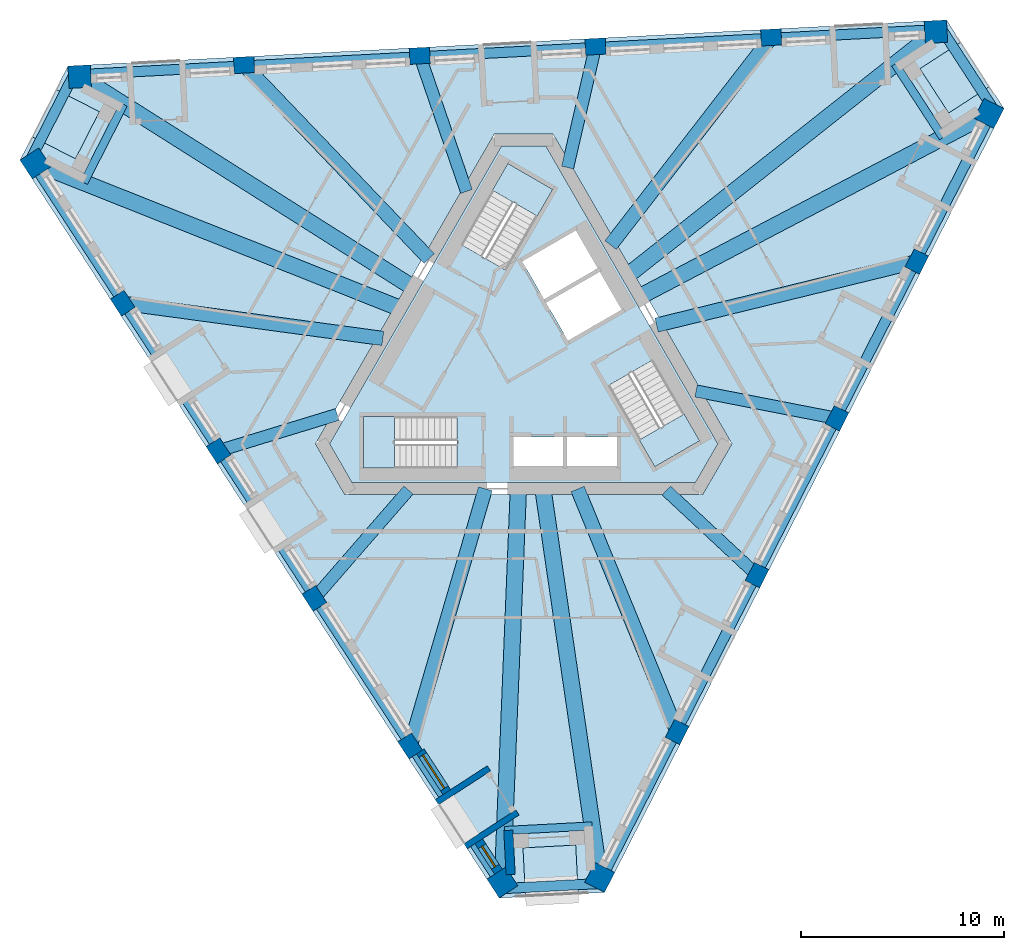
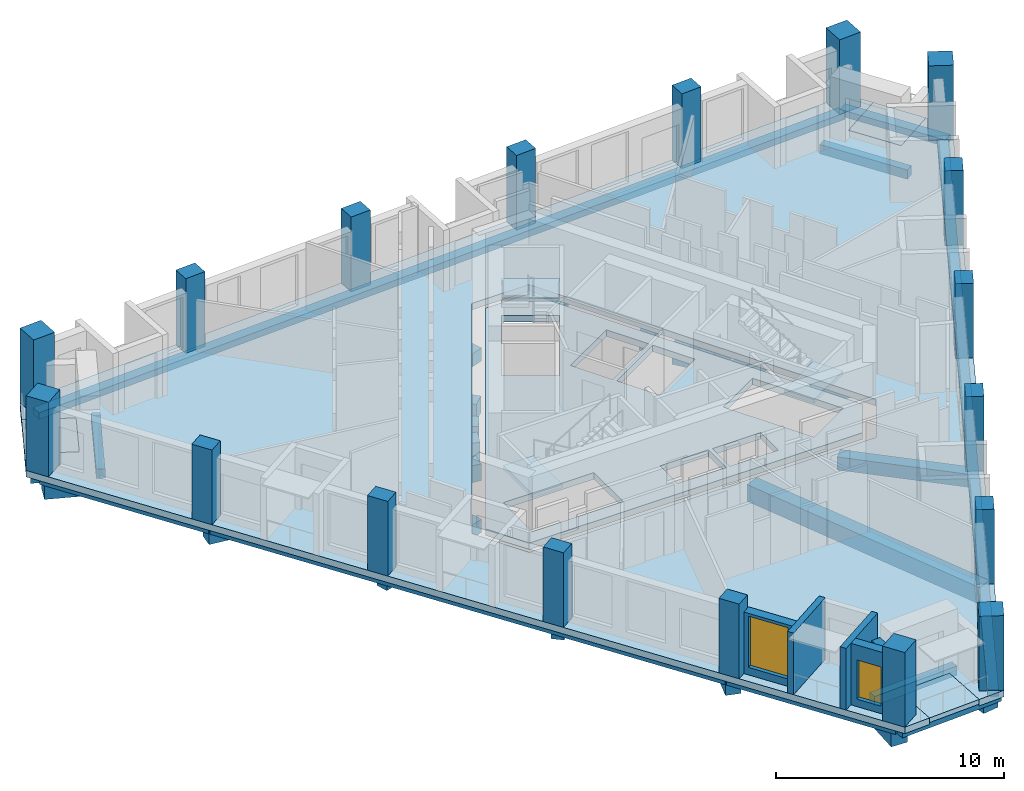
# One storey, part 1 of 12: 27 beams, 18 columns, 8 slabs, 5 walls, 2 windows, 2 openings, 3 elements without a shape of their own.
"""IFC4 building model written with IfcOpenShell, lengths in metres."""

from ifc_helpers import new_model, si_unit, direction, frame, frame_2d, origin, origin_2d, place, context, subcontext, project, spatial, polyline, rectangle, outline, extrude, material, layer, layer_set, material_profile, profile_set, type_object, element, fill, aggregate, save


model = new_model("IFC4")

# Units and contexts
model_context = context("Model", 3, precision=1e-05, world=origin(), true_north=direction((0.0, 1.0)))
body_context = subcontext(model_context, "Body", "Model", "MODEL_VIEW")
ifc_project = project(units=[si_unit("LENGTHUNIT", "METRE"), si_unit("AREAUNIT", "SQUARE_METRE"), si_unit("VOLUMEUNIT", "CUBIC_METRE"), si_unit("PLANEANGLEUNIT", "RADIAN"), si_unit("MASSUNIT", "GRAM", prefix="KILO")], contexts=[model_context])

# Site, building, storey
site_placement = place(None, origin())
site = spatial("IfcSite", under=ifc_project, at=site_placement, CompositionType="ELEMENT")
building_placement = place(site_placement, origin())
building = spatial("IfcBuilding", under=site, at=building_placement, Name="Tramontana Tower", CompositionType="ELEMENT")
storey_placement = place(building_placement, frame((0.0, 0.0, 278.39990234375)))
storey = spatial("IfcBuildingStorey", under=building, at=storey_placement, Name="L65", CompositionType="ELEMENT", Elevation=278.39990234375)

# Columns
ifc_material_1 = material(Name="Concrete 55 MPa", Category="concrete")
ifc_material_profile_1 = material_profile(ifc_material_1, rectangle(XDim=1.10009765625, YDim=1.10009765625, at=origin_2d()), Name="Mega column 1100X1100 55 MPa")
ifc_profile_set_1 = profile_set([ifc_material_profile_1], Name="Concrete 55 MPa")
column_type_1 = type_object("IfcColumnType", Name="Mega column 1100X1100 55 MPa", PredefinedType="COLUMN", material=ifc_profile_set_1)
for number, where, z_axis, x_axis, name in (
    (1, (-24.0302734375, 9.55419921875, 0.0), (0.0, 0.0, 1.0), (0.544639035015, -0.838670567945, 0.0), "Mega column C7K1 L65"),
    (2, (-1.0458984375, -25.8388671875, 0.0), (0.0, 0.0, 1.0), (0.544639035015, -0.838670567945, 0.0), "Mega column C7K2 L65"),
    (3, (3.740966796875, -25.587890625, 0.0), (0.0, 0.0, 1.0), (0.45399049974, 0.891006524188, 0.0), "Mega column C7K3 L65"),
    (4, (22.900146484375, 12.013671875, 0.0), (0.0, 0.0, 1.0), (0.45399049974, 0.891006524188, 0.0), "Mega column C7K4 L65"),
    (5, (20.289306640625, 16.033935546875, 0.0), (0.0, 0.0, 1.0), (-0.998629534755, -0.052335956243, 0.0), "Mega column C7K5 L65"),
    (6, (-21.854248046875, 13.8251953125, 0.0), (0.0, 0.0, 1.0), (-0.998629534755, -0.052335956243, 0.0), "Mega column C7K6 L65"),
):
    element("IfcColumn", number, at=place(storey_placement, frame(where, z_axis=z_axis, x_axis=x_axis)), inside=storey, type_object=column_type_1, Name=name, PredefinedType="COLUMN", context=body_context, shape_type="SweptSolid", body=[
        extrude(rectangle(XDim=1.10009765625, YDim=1.10009765625, at=origin_2d()), origin(), (0.0, 0.0, 1.0), 4.0),
    ])
ifc_material_2 = material(Name="Concrete 55 MPa", Category="concrete")
ifc_material_profile_2 = material_profile(ifc_material_2, rectangle(XDim=1.0, YDim=0.800048828125, at=origin_2d()), Name="Pier column 1000X800 55 MPa")
ifc_profile_set_2 = profile_set([ifc_material_profile_2], Name="Concrete 55 MPa")
column_type_2 = type_object("IfcColumnType", Name="Pier column 1000X800 55 MPa", PredefinedType="COLUMN", material=ifc_profile_set_2)
for number, where, z_axis, x_axis, name in (
    (7, (-19.739013671875, 2.670654296875, 0.0), (0.0, 0.0, 1.0), (0.544639035015, -0.838670567945, 0.0), "Pier column C7F01 L65"),
    (8, (-15.022216796875, -4.592529296875, 0.0), (0.0, 0.0, 1.0), (0.544639035015, -0.838670567945, 0.0), "Pier column C7F02 L65"),
    (9, (-10.3056640625, -11.855712890625, 0.0), (0.0, 0.0, 1.0), (0.544639035015, -0.838670567945, 0.0), "Pier column C7F03 L65"),
    (10, (-5.5888671875, -19.11865234375, 0.0), (0.0, 0.0, 1.0), (0.544639035015, -0.838670567945, 0.0), "Pier column C7F04 L65"),
    (11, (7.556640625, -18.4296875, 0.0), (0.0, 0.0, 1.0), (0.45399049974, 0.891006524188, 0.0), "Pier column C7F05 L65"),
    (12, (11.48828125, -10.71337890625, 0.0), (0.0, 0.0, 1.0), (0.45399049974, 0.891006524188, 0.0), "Pier column C7F06 L65"),
    (13, (15.419921875, -2.9970703125, 0.0), (0.0, 0.0, 1.0), (0.45399049974, 0.891006524188, 0.0), "Pier column C7F07 L65"),
    (14, (19.351806640625, 4.71923828125, 0.0), (0.0, 0.0, 1.0), (0.45399049974, 0.891006524188, 0.0), "Pier column C7F08 L65"),
    (15, (12.182373046875, 15.75927734375, 0.0), (0.0, 0.0, 1.0), (-0.998629534755, -0.052335956243, 0.0), "Pier column C7F09 L65"),
    (16, (3.533935546875, 15.305908203125, 0.0), (0.0, 0.0, 1.0), (-0.998629534755, -0.052335956243, 0.0), "Pier column C7F10 L65"),
    (17, (-5.114501953125, 14.852783203125, 0.0), (0.0, 0.0, 1.0), (-0.998629534755, -0.052335956243, 0.0), "Pier column C7F11 L65"),
    (18, (-13.762939453125, 14.3994140625, 0.0), (0.0, 0.0, 1.0), (-0.998629534755, -0.052335956243, 0.0), "Pier column C7F12 L65"),
):
    element("IfcColumn", number, at=place(storey_placement, frame(where, z_axis=z_axis, x_axis=x_axis)), inside=storey, type_object=column_type_2, Name=name, PredefinedType="COLUMN", context=body_context, shape_type="SweptSolid", body=[
        extrude(rectangle(XDim=1.0, YDim=0.800048828125, at=origin_2d()), origin(), (0.0, 0.0, 1.0), 4.0),
    ])

# Beams
ifc_material_3 = material(Name="Concrete 40 MPa", Category="concrete")
ifc_material_profile_3 = material_profile(ifc_material_3, rectangle(XDim=0.5, YDim=0.35009765625, at=origin_2d()), Name="RC EDGE BEAM 500X350 40 MPa")
ifc_profile_set_3 = profile_set([ifc_material_profile_3], Name="Concrete 40 MPa")
beam_type_1 = type_object("IfcBeamType", Name="RC EDGE BEAM 500X350 40 MPa", PredefinedType="SPANDREL", material=ifc_profile_set_3)
beam_1_placement = place(storey_placement, frame((-24.1142578125, 9.499755859375, -0.52490234375), z_axis=(0.544636517119, -0.838672203081, 0.0), x_axis=(0.838672203081, 0.544636517119, 0.0)))
element("IfcBeam", 19, at=beam_1_placement, inside=storey, type_object=beam_type_1, Name="Spandrel beam S0 L65", PredefinedType="SPANDREL", context=body_context, shape_type="SweptSolid", body=[
    extrude(rectangle(XDim=0.5, YDim=0.35009765625, at=origin_2d()), origin(), (0.0, 0.0, 1.0), 42.201416015625),
])
beam_2_placement = place(storey_placement, frame((3.830078125, -25.63330078125, -0.52490234375), z_axis=(0.453990170761, 0.891006691811, 0.0), x_axis=(-0.891006691811, 0.453990170761, 0.0)))
element("IfcBeam", 20, at=beam_2_placement, inside=storey, type_object=beam_type_1, Name="Spandrel beam S1 L65", PredefinedType="SPANDREL", context=body_context, shape_type="SweptSolid", body=[
    extrude(rectangle(XDim=0.5, YDim=0.35009765625, at=origin_2d()), origin(), (0.0, 0.0, 1.0), 42.201171875),
])
beam_3_placement = place(storey_placement, frame((20.2841796875, 16.1337890625, -0.52490234375), z_axis=(-0.998629423141, -0.052338085918, 0.0), x_axis=(0.052338085918, -0.998629423141, 0.0)))
element("IfcBeam", 21, at=beam_3_placement, inside=storey, type_object=beam_type_1, Name="Spandrel beam S2 L65", PredefinedType="SPANDREL", context=body_context, shape_type="SweptSolid", body=[
    extrude(rectangle(XDim=0.5, YDim=0.35009765625, at=origin_2d()), origin(), (0.0, 0.0, 1.0), 42.201416015625),
])
for number, where, z_axis, x_axis, name in (
    (22, (-22.03125, 14.141357421875, -0.52490234375), (-0.453966603753, -0.891018699398, 0.0), (0.891018699398, -0.453966603753, 0.0), "Spandrel beam K0 L65"),
    (23, (-1.231201171875, -26.150390625, -0.52490234375), (0.99862935635, 0.05233936029, 0.0), (-0.05233936029, 0.99862935635, 0.0), "Spandrel beam K1 L65"),
    (24, (23.262451171875, 12.0087890625, -0.52490234375), (-0.544641495757, 0.838668969916, 0.0), (-0.838668969916, -0.544641495757, 0.0), "Spandrel beam K2 L65"),
):
    element("IfcBeam", number, at=place(storey_placement, frame(where, z_axis=z_axis, x_axis=x_axis)), inside=storey, type_object=beam_type_1, Name=name, PredefinedType="SPANDREL", context=body_context, shape_type="SweptSolid", body=[
        extrude(rectangle(XDim=0.5, YDim=0.35009765625, at=origin_2d()), origin(), (0.0, 0.0, 1.0), 5.1962890625),
    ])
ifc_material_4 = material(Name="Concrete 40 MPa", Category="concrete")
ifc_material_profile_4 = material_profile(ifc_material_4, rectangle(XDim=0.60009765625, YDim=0.699951171875, at=origin_2d()), Name="RC GIRDER 600X700 40 MPa")
ifc_profile_set_4 = profile_set([ifc_material_profile_4], Name="Concrete 40 MPa")
beam_type_2 = type_object("IfcBeamType", Name="RC GIRDER 600X700 40 MPa", PredefinedType="BEAM", material=ifc_profile_set_4)
beam_4_placement = place(storey_placement, frame((-15.022216796875, -4.592529296875, -0.699951171875), z_axis=(0.956311245936, 0.292350476137, 0.0), x_axis=(-0.292350476137, 0.956311245936, 0.0)))
element("IfcBeam", 25, at=beam_4_placement, inside=storey, type_object=beam_type_2, Name="Radial girder C7F02 L65", PredefinedType="BEAM", context=body_context, shape_type="SweptSolid", body=[
    extrude(rectangle(XDim=0.60009765625, YDim=0.699951171875, at=origin_2d()), origin(), (0.0, 0.0, 1.0), 6.111328125),
])
beam_5_placement = place(storey_placement, frame((-10.3056640625, -11.855712890625, -0.699951171875), z_axis=(0.656054652409, 0.754713384705, 0.0), x_axis=(-0.754713384705, 0.656054652409, 0.0)))
element("IfcBeam", 26, at=beam_5_placement, inside=storey, type_object=beam_type_2, Name="Radial girder C7F03 L65", PredefinedType="BEAM", context=body_context, shape_type="SweptSolid", body=[
    extrude(rectangle(XDim=0.60009765625, YDim=0.699951171875, at=origin_2d()), origin(), (0.0, 0.0, 1.0), 7.06494140625),
])
beam_6_placement = place(storey_placement, frame((11.48828125, -10.71337890625, -0.699951171875), z_axis=(-0.731344808312, 0.682007896843, 0.0), x_axis=(-0.682007896843, -0.731344808312, 0.0)))
element("IfcBeam", 27, at=beam_6_placement, inside=storey, type_object=beam_type_2, Name="Radial girder C7F06 L65", PredefinedType="BEAM", context=body_context, shape_type="SweptSolid", body=[
    extrude(rectangle(XDim=0.60009765625, YDim=0.699951171875, at=origin_2d()), origin(), (0.0, 0.0, 1.0), 6.111328125),
])
beam_7_placement = place(storey_placement, frame((15.419921875, -2.9970703125, -0.699951171875), z_axis=(-0.981630853668, 0.190790112761, 0.0), x_axis=(-0.190790112761, -0.981630853668, 0.0)))
element("IfcBeam", 28, at=beam_7_placement, inside=storey, type_object=beam_type_2, Name="Radial girder C7F07 L65", PredefinedType="BEAM", context=body_context, shape_type="SweptSolid", body=[
    extrude(rectangle(XDim=0.60009765625, YDim=0.699951171875, at=origin_2d()), origin(), (0.0, 0.0, 1.0), 7.06494140625),
])
beam_8_placement = place(storey_placement, frame((3.533935546875, 15.305908203125, -0.699951171875), z_axis=(-0.224955788451, -0.974368971818, 0.0), x_axis=(0.974368971818, -0.224955788451, 0.0)))
element("IfcBeam", 29, at=beam_8_placement, inside=storey, type_object=beam_type_2, Name="Radial girder C7F10 L65", PredefinedType="BEAM", context=body_context, shape_type="SweptSolid", body=[
    extrude(rectangle(XDim=0.60009765625, YDim=0.699951171875, at=origin_2d()), origin(), (0.0, 0.0, 1.0), 6.111328125),
])
beam_9_placement = place(storey_placement, frame((-5.114501953125, 14.852783203125, -0.699951171875), z_axis=(0.325583843266, -0.945513173364, 0.0), x_axis=(0.945513173364, 0.325583843266, 0.0)))
element("IfcBeam", 30, at=beam_9_placement, inside=storey, type_object=beam_type_2, Name="Radial girder C7F11 L65", PredefinedType="BEAM", context=body_context, shape_type="SweptSolid", body=[
    extrude(rectangle(XDim=0.60009765625, YDim=0.699951171875, at=origin_2d()), origin(), (0.0, 0.0, 1.0), 7.065185546875),
])
ifc_material_5 = material(Name="Concrete 40 MPa", Category="concrete")
ifc_material_profile_5 = material_profile(ifc_material_5, rectangle(XDim=0.699951171875, YDim=0.89990234375, at=origin_2d()), Name="RC GIRDER 700X900 40 MPa")
ifc_profile_set_5 = profile_set([ifc_material_profile_5], Name="Concrete 40 MPa")
beam_type_3 = type_object("IfcBeamType", Name="RC GIRDER 700X900 40 MPa", PredefinedType="BEAM", material=ifc_profile_set_5)
beam_10_placement = place(storey_placement, frame((-19.739013671875, 2.670654296875, -0.7998046875), z_axis=(0.990971820042, -0.134070324396, 0.0), x_axis=(0.134070324396, 0.990971820042, 0.0)))
element("IfcBeam", 31, at=beam_10_placement, inside=storey, type_object=beam_type_3, Name="Radial girder C7F01 L65", PredefinedType="BEAM", context=body_context, shape_type="SweptSolid", body=[
    extrude(rectangle(XDim=0.699951171875, YDim=0.89990234375, at=origin_2d()), origin(), (0.0, 0.0, 1.0), 12.923583984375),
])
beam_11_placement = place(storey_placement, frame((-5.5888671875, -19.11865234375, -0.7998046875), z_axis=(0.280592184152, 0.959827081402, 0.0), x_axis=(-0.959827081402, 0.280592184152, 0.0)))
element("IfcBeam", 32, at=beam_11_placement, inside=storey, type_object=beam_type_3, Name="Radial girder C7F04 L65", PredefinedType="BEAM", context=body_context, shape_type="SweptSolid", body=[
    extrude(rectangle(XDim=0.699951171875, YDim=0.89990234375, at=origin_2d()), origin(), (0.0, 0.0, 1.0), 13.186279296875),
])
beam_12_placement = place(storey_placement, frame((7.556640625, -18.4296875, -0.7998046875), z_axis=(-0.379376408021, 0.925242422848, 0.0), x_axis=(-0.925242422848, -0.379376408021, 0.0)))
element("IfcBeam", 33, at=beam_12_placement, inside=storey, type_object=beam_type_3, Name="Radial girder C7F05 L65", PredefinedType="BEAM", context=body_context, shape_type="SweptSolid", body=[
    extrude(rectangle(XDim=0.699951171875, YDim=0.89990234375, at=origin_2d()), origin(), (0.0, 0.0, 1.0), 12.92333984375),
])
beam_13_placement = place(storey_placement, frame((19.351806640625, 4.71923828125, -0.7998046875), z_axis=(-0.971531149173, -0.2369118532, 0.0), x_axis=(0.2369118532, -0.971531149173, 0.0)))
element("IfcBeam", 34, at=beam_13_placement, inside=storey, type_object=beam_type_3, Name="Radial girder C7F08 L65", PredefinedType="BEAM", context=body_context, shape_type="SweptSolid", body=[
    extrude(rectangle(XDim=0.699951171875, YDim=0.89990234375, at=origin_2d()), origin(), (0.0, 0.0, 1.0), 13.1865234375),
])
beam_14_placement = place(storey_placement, frame((12.182373046875, 15.75927734375, -0.7998046875), z_axis=(-0.611594268049, -0.791171568808, 0.0), x_axis=(0.791171568808, -0.611594268049, 0.0)))
element("IfcBeam", 35, at=beam_14_placement, inside=storey, type_object=beam_type_3, Name="Radial girder C7F09 L65", PredefinedType="BEAM", context=body_context, shape_type="SweptSolid", body=[
    extrude(rectangle(XDim=0.699951171875, YDim=0.89990234375, at=origin_2d()), origin(), (0.0, 0.0, 1.0), 12.923583984375),
])
beam_15_placement = place(storey_placement, frame((-13.762939453125, 14.3994140625, -0.7998046875), z_axis=(0.69094809316, -0.722904373039, 0.0), x_axis=(0.722904373039, 0.69094809316, 0.0)))
element("IfcBeam", 36, at=beam_15_placement, inside=storey, type_object=beam_type_3, Name="Radial girder C7F12 L65", PredefinedType="BEAM", context=body_context, shape_type="SweptSolid", body=[
    extrude(rectangle(XDim=0.699951171875, YDim=0.89990234375, at=origin_2d()), origin(), (0.0, 0.0, 1.0), 13.186279296875),
])
ifc_material_6 = material(Name="Concrete 40 MPa", Category="concrete")
ifc_material_profile_6 = material_profile(ifc_material_6, rectangle(XDim=0.800048828125, YDim=1.10009765625, at=origin_2d()), Name="RC GIRDER 800X1100 40 MPa")
ifc_profile_set_6 = profile_set([ifc_material_profile_6], Name="Concrete 40 MPa")
beam_type_4 = type_object("IfcBeamType", Name="RC GIRDER 800X1100 40 MPa", PredefinedType="BEAM", material=ifc_profile_set_6)
beam_16_placement = place(storey_placement, frame((-24.030517578125, 9.55419921875, -0.89990234375), z_axis=(0.929246961318, -0.369459178912, 0.0), x_axis=(0.369459178912, 0.929246961318, 0.0)))
element("IfcBeam", 37, at=beam_16_placement, inside=storey, type_object=beam_type_4, Name="Radial girder C7K1 L65", PredefinedType="BEAM", context=body_context, shape_type="SweptSolid", body=[
    extrude(rectangle(XDim=0.800048828125, YDim=1.10009765625, at=origin_2d()), origin(), (0.0, 0.0, 1.0), 19.33837890625),
])
beam_17_placement = place(storey_placement, frame((-1.0458984375, -25.8388671875, -0.89990234375), z_axis=(0.040449893492, 0.999181568143, 0.0), x_axis=(-0.999181568143, 0.040449893492, 0.0)))
element("IfcBeam", 38, at=beam_17_placement, inside=storey, type_object=beam_type_4, Name="Radial girder C7K2 L65", PredefinedType="BEAM", context=body_context, shape_type="SweptSolid", body=[
    extrude(rectangle(XDim=0.800048828125, YDim=1.10009765625, at=origin_2d()), origin(), (0.0, 0.0, 1.0), 19.404541015625),
])
beam_18_placement = place(storey_placement, frame((3.7412109375, -25.587890625, -0.89990234375), z_axis=(-0.144667438406, 0.989480334451, 0.0), x_axis=(-0.989480334451, -0.144667438406, 0.0)))
element("IfcBeam", 39, at=beam_18_placement, inside=storey, type_object=beam_type_4, Name="Radial girder C7K3 L65", PredefinedType="BEAM", context=body_context, shape_type="SweptSolid", body=[
    extrude(rectangle(XDim=0.800048828125, YDim=1.10009765625, at=origin_2d()), origin(), (0.0, 0.0, 1.0), 19.338134765625),
])
beam_19_placement = place(storey_placement, frame((22.89990234375, 12.013671875, -0.89990234375), z_axis=(-0.885538061337, -0.46456683257, 0.0), x_axis=(0.46456683257, -0.885538061337, 0.0)))
element("IfcBeam", 40, at=beam_19_placement, inside=storey, type_object=beam_type_4, Name="Radial girder C7K4 L65", PredefinedType="BEAM", context=body_context, shape_type="SweptSolid", body=[
    extrude(rectangle(XDim=0.800048828125, YDim=1.10009765625, at=origin_2d()), origin(), (0.0, 0.0, 1.0), 19.404296875),
])
beam_20_placement = place(storey_placement, frame((20.289306640625, 16.03369140625, -0.89990234375), z_axis=(-0.784585689125, -0.620020400003, 0.0), x_axis=(0.620020400003, -0.784585689125, 0.0)))
element("IfcBeam", 41, at=beam_20_placement, inside=storey, type_object=beam_type_4, Name="Radial girder C7K5 L65", PredefinedType="BEAM", context=body_context, shape_type="SweptSolid", body=[
    extrude(rectangle(XDim=0.800048828125, YDim=1.10009765625, at=origin_2d()), origin(), (0.0, 0.0, 1.0), 19.338134765625),
])
beam_21_placement = place(storey_placement, frame((-21.85400390625, 13.8251953125, -0.89990234375), z_axis=(0.845090437102, -0.53462337502, 0.0), x_axis=(0.53462337502, 0.845090437102, 0.0)))
element("IfcBeam", 42, at=beam_21_placement, inside=storey, type_object=beam_type_4, Name="Radial girder C7K6 L65", PredefinedType="BEAM", context=body_context, shape_type="SweptSolid", body=[
    extrude(rectangle(XDim=0.800048828125, YDim=1.10009765625, at=origin_2d()), origin(), (0.0, 0.0, 1.0), 19.404296875),
])
ifc_material_7 = material(Name="Concrete 40 MPa", Category="concrete")
ifc_material_profile_7 = material_profile(ifc_material_7, rectangle(XDim=0.39990234375, YDim=0.5, at=origin_2d()), Name="RC TRIM BEAM 400X500 40 MPa")
ifc_profile_set_7 = profile_set([ifc_material_profile_7], Name="Concrete 40 MPa")
beam_type_5 = type_object("IfcBeamType", Name="RC TRIM BEAM 400X500 40 MPa", PredefinedType="JOIST", material=ifc_profile_set_7)
for number, where, z_axis, x_axis, name in (
    (43, (-19.69091796875, 12.456787109375, -0.599853515625), (-0.454006220993, -0.890998513635, 0.0), (0.890998513635, -0.454006220993, 0.0), "Trimmer beam K0 L65"),
    (44, (-0.9423828125, -23.28125, -0.599853515625), (0.998629204559, 0.052342256377, 0.0), (-0.052342256377, 0.998629204559, 0.0), "Trimmer beam K1 L65"),
    (45, (20.63330078125, 10.824462890625, -0.599853515625), (-0.544628679426, 0.838677292853, 0.0), (-0.838677292853, -0.544628679426, 0.0), "Trimmer beam K2 L65"),
):
    element("IfcBeam", number, at=place(storey_placement, frame(where, z_axis=z_axis, x_axis=x_axis)), inside=storey, type_object=beam_type_5, Name=name, PredefinedType="JOIST", context=body_context, shape_type="SweptSolid", body=[
        extrude(rectangle(XDim=0.39990234375, YDim=0.5, at=origin_2d()), origin(), (0.0, 0.0, 1.0), 4.319091796875),
    ])

# Slabs
ifc_material_8 = material(Name="Precast concrete 50 MPa", Category="concrete")
ifc_layer_1 = layer(ifc_material_8, 0.25)
ifc_layer_set_1 = layer_set([ifc_layer_1], Name="LT1 Loggia floor tray 250")
slab_type_1 = type_object("IfcSlabType", Name="LT1 Loggia floor tray 250", PredefinedType="FLOOR", material=ifc_layer_set_1)
slab_1_placement = place(storey_placement, frame((0.0, 0.0, -0.25)))
element("IfcSlab", 46, at=slab_1_placement, inside=storey, type_object=slab_type_1, Name="Corner loggia floor L65 K70", PredefinedType="FLOOR", context=body_context, shape_type="SweptSolid", body=[
    extrude(outline(polyline([(-23.021484375, 13.18896484375), (-20.883056640625, 12.099365234375), (-22.0634765625, 9.782958984375), (-24.201904296875, 10.87255859375), (-23.021484375, 13.18896484375)])), origin(), (0.0, 0.0, 1.0), 0.25),
])
slab_2_placement = place(storey_placement, frame((0.0, 0.0, -0.25)))
element("IfcSlab", 47, at=slab_2_placement, inside=storey, type_object=slab_type_1, Name="Corner loggia floor L65 K71", PredefinedType="FLOOR", context=body_context, shape_type="SweptSolid", body=[
    extrude(outline(polyline([(0.088623046875, -26.53173828125), (-0.036865234375, -24.135009765625), (2.5595703125, -23.9990234375), (2.68505859375, -26.395751953125), (0.088623046875, -26.53173828125)])), origin(), (0.0, 0.0, 1.0), 0.25),
])
slab_3_placement = place(storey_placement, frame((0.0, 0.0, -0.25)))
element("IfcSlab", 48, at=slab_3_placement, inside=storey, type_object=slab_type_1, Name="Corner loggia floor L65 K72", PredefinedType="FLOOR", context=body_context, shape_type="SweptSolid", body=[
    extrude(outline(polyline([(22.932861328125, 13.3427734375), (20.919921875, 12.03564453125), (19.50390625, 14.216064453125), (21.516845703125, 15.523193359375), (22.932861328125, 13.3427734375)])), origin(), (0.0, 0.0, 1.0), 0.25),
])
ifc_material_9 = material(Name="Concrete 40 MPa", Category="concrete")
ifc_layer_2 = layer(ifc_material_9, 0.35009765625)
ifc_layer_set_2 = layer_set([ifc_layer_2], Name="PT FLAT SLAB 350 40 MPa")
slab_type_2 = type_object("IfcSlabType", Name="PT FLAT SLAB 350 40 MPa", PredefinedType="FLOOR", material=ifc_layer_set_2)
slab_4_placement = place(storey_placement, frame((0.0, 0.0, -0.349853515625)))
element("IfcSlab", 49, at=slab_4_placement, inside=storey, type_object=slab_type_2, Name="Floor slab L65", PredefinedType="FLOOR", context=body_context, shape_type="SweptSolid", body=[
    extrude(outline(polyline([(21.5166015625, 15.523193359375), (19.50390625, 14.216064453125), (20.919921875, 12.035400390625), (22.932861328125, 13.3427734375), (23.639892578125, 12.25390625), (3.9814453125, -26.32763671875), (2.68505859375, -26.3955078125), (2.5595703125, -23.998779296875), (-0.036865234375, -24.135009765625), (0.088623046875, -26.53173828125), (-1.20751953125, -26.599609375), (-24.791259765625, 9.7158203125), (-24.201904296875, 10.872314453125), (-22.0634765625, 9.782958984375), (-20.883056640625, 12.099609375), (-23.021484375, 13.189208984375), (-22.43212890625, 14.345703125), (20.809814453125, 16.61181640625), (21.5166015625, 15.523193359375)]), holes=[polyline([(-10.248046875, -4.25), (-8.8046875, -6.75), (8.8046875, -6.75), (10.248046875, -4.25), (1.443359375, 11.0), (-1.443359375, 11.0), (-10.248046875, -4.25)])]), origin(), (0.0, 0.0, 1.0), 0.349853515625),
])
slab_5_placement = place(storey_placement, frame((0.0, 0.0, -0.349853515625)))
element("IfcSlab", 50, at=slab_5_placement, inside=storey, type_object=slab_type_2, Name="Core floor slab L65", PredefinedType="FLOOR", context=body_context, shape_type="SweptSolid", body=[
    extrude(outline(polyline([(9.55517578125, -4.25), (8.458251953125, -6.14990234375), (-8.458251953125, -6.14990234375), (-9.55517578125, -4.25), (-1.096923828125, 10.39990234375), (1.096923828125, 10.39990234375), (9.55517578125, -4.25)]), holes=[polyline([(8.659912109375, -4.099365234375), (6.35986328125, -0.115478515625), (4.151611328125, -1.390625), (6.451416015625, -5.374267578125), (8.659912109375, -4.099365234375)]), polyline([(3.829833984375, 4.2666015625), (1.101806640625, 2.69140625), (2.177001953125, 0.82958984375), (4.90478515625, 2.404541015625), (3.829833984375, 4.2666015625)]), polyline([(4.590087890625, -3.89990234375), (2.139892578125, -3.89990234375), (2.139892578125, -5.449951171875), (4.590087890625, -5.449951171875), (4.590087890625, -3.89990234375)]), polyline([(2.65478515625, 6.3017578125), (-0.072998046875, 4.726806640625), (1.001953125, 2.86474609375), (3.729736328125, 4.439697265625), (2.65478515625, 6.3017578125)]), polyline([(1.93994140625, -5.449951171875), (1.93994140625, -3.89990234375), (-0.510009765625, -3.89990234375), (-0.510009765625, -5.449951171875), (1.93994140625, -5.449951171875)]), polyline([(-0.77978515625, 9.54931640625), (-3.079833984375, 5.565673828125), (-0.87158203125, 4.29052734375), (1.428466796875, 8.2744140625), (-0.77978515625, 9.54931640625)]), polyline([(-7.8798828125, -5.449951171875), (-3.280029296875, -5.449951171875), (-3.280029296875, -2.89990234375), (-7.8798828125, -2.89990234375), (-7.8798828125, -5.449951171875)])]), origin(), (0.0, 0.0, 1.0), 0.349853515625),
])

# Stair, slab
ifc_material_10 = material(Name="Concrete 40 MPa", Category="concrete")
stair_type = type_object("IfcStairType", Name="EXIT STAIR 24 RISERS", PredefinedType="HALF_TURN_STAIR", material=ifc_material_10)
stair_1_placement = place(storey_placement, origin())
stair_1 = element("IfcStair", 51, at=stair_1_placement, inside=storey, type_object=stair_type, Name="L65 Exit stair ST1", PredefinedType="HALF_TURN_STAIR")
ifc_material_11 = material(Name="Concrete 40 MPa", Category="concrete")
ifc_layer_3 = layer(ifc_material_11, 0.199951171875)
ifc_layer_set_3 = layer_set([ifc_layer_3], Name="STAIR LANDING 200")
slab_type_3 = type_object("IfcSlabType", Name="STAIR LANDING 200", PredefinedType="LANDING", material=ifc_layer_set_3)
slab_6_placement = place(storey_placement, frame((0.0, 0.0, 1.800048828125)))
slab_6 = element("IfcSlab", 52, at=slab_6_placement, type_object=slab_type_3, Name="ST1 landing 1", PredefinedType="LANDING", context=body_context, shape_type="SweptSolid", body=[
    extrude(outline(polyline([(0.66845703125, 6.9580078125), (1.428466796875, 8.274169921875), (-0.77978515625, 9.54931640625), (-1.539794921875, 8.23291015625), (0.66845703125, 6.9580078125)])), origin(), (0.0, 0.0, 1.0), 0.199951171875),
])
aggregate(stair_1, [slab_6])

stair_2_placement = place(storey_placement, origin())
stair_2 = element("IfcStair", 53, at=stair_2_placement, inside=storey, type_object=stair_type, Name="L65 Exit stair ST2", PredefinedType="HALF_TURN_STAIR")
slab_7_placement = place(storey_placement, frame((0.0, 0.0, 1.800048828125)))
slab_7 = element("IfcSlab", 54, at=slab_7_placement, type_object=slab_type_3, Name="ST2 landing 1", PredefinedType="LANDING", context=body_context, shape_type="SweptSolid", body=[
    extrude(outline(polyline([(-6.360107421875, -2.89990234375), (-7.8798828125, -2.89990234375), (-7.8798828125, -5.449951171875), (-6.360107421875, -5.449951171875), (-6.360107421875, -2.89990234375)])), origin(), (0.0, 0.0, 1.0), 0.199951171875),
])
aggregate(stair_2, [slab_7])

stair_3_placement = place(storey_placement, origin())
stair_3 = element("IfcStair", 55, at=stair_3_placement, inside=storey, type_object=stair_type, Name="L65 Exit stair ST3", PredefinedType="HALF_TURN_STAIR")
slab_8_placement = place(storey_placement, frame((0.0, 0.0, 1.800048828125)))
slab_8 = element("IfcSlab", 56, at=slab_8_placement, type_object=slab_type_3, Name="ST3 landing 1", PredefinedType="LANDING", context=body_context, shape_type="SweptSolid", body=[
    extrude(outline(polyline([(5.69140625, -4.057861328125), (6.451416015625, -5.374267578125), (8.659912109375, -4.099365234375), (7.89990234375, -2.782958984375), (5.69140625, -4.057861328125)])), origin(), (0.0, 0.0, 1.0), 0.199951171875),
])
aggregate(stair_3, [slab_8])

# Wall, opening, window
ifc_material_12 = material(Name="Precast concrete 60 MPa", Category="concrete")
ifc_layer_4 = layer(ifc_material_12, 0.449951171875)
ifc_layer_set_4 = layer_set([ifc_layer_4], Name="Precast concrete 60 MPa, 450 mm")
wall_type_1 = type_object("IfcWallType", Name="EW1 Stone-faced precast wall 450", PredefinedType="SOLIDWALL", material=ifc_layer_set_4)
wall_1_placement = place(storey_placement, frame((-5.0859375, -19.38818359375, 0.0), z_axis=(0.0, 0.0, 1.0), x_axis=(0.544675520966, -0.838646872563, 0.0)))
wall_1 = element("IfcWall", 57, at=wall_1_placement, inside=storey, type_object=wall_type_1, Name="External wall L65 face 0 bay 5", PredefinedType="SOLIDWALL", context=body_context, shape_type="SweptSolid", body=[
    extrude(rectangle(XDim=2.38671875, YDim=0.449951171875, at=frame_2d((1.193359375, 0.0))), origin(), (0.0, 0.0, 1.0), 3.300048828125),
])
opening_1_placement = place(wall_1_placement, frame((0.21826171875, 0.0, 0.39990234375)))
opening_1 = element("IfcOpeningElement", 58, at=opening_1_placement, cuts=wall_1, Name="Opening M3", PredefinedType="OPENING", context=body_context, shape_type="SweptSolid", body=[
    extrude(rectangle(XDim=1.949951171875, YDim=2.75, at=frame_2d((0.97509765625, 1.375))), frame((0.0, 0.23486328125, 0.0), z_axis=(0.0, -1.0, 0.0), x_axis=(1.0, 0.0, 0.0)), (0.0, 0.0, 1.0), 0.469970703125),
])
ifc_material_13 = material(Name="Aluminum frame, double glazing unit", Category="aluminium")
window_type_1 = type_object("IfcWindowType", Name="M3 Window 1.95 x 2.75", PartitioningType="SINGLE_PANEL", PredefinedType="WINDOW", material=ifc_material_13)
window_1_placement = place(opening_1_placement, origin())
window_1 = element("IfcWindow", 59, at=window_1_placement, inside=storey, type_object=window_type_1, Name="Window M3 L65 face 0 module 13", OverallHeight=2.75, OverallWidth=1.949951171875, PartitioningType="SINGLE_PANEL", PredefinedType="WINDOW", context=body_context, shape_type="SweptSolid", body=[
    extrude(rectangle(XDim=1.949951171875, YDim=2.75, at=frame_2d((0.97509765625, 1.375))), frame((0.0, 0.030029296875, 0.0), z_axis=(0.0, -1.0, 0.0), x_axis=(1.0, 0.0, 0.0)), (0.0, 0.0, 1.0), 0.06005859375),
])
fill(opening_1, window_1)

wall_2_placement = place(storey_placement, frame((-2.2138671875, -23.81103515625, 0.0), z_axis=(0.0, 0.0, 1.0), x_axis=(0.544632902776, -0.838674550236, 0.0)))
wall_2 = element("IfcWall", 60, at=wall_2_placement, inside=storey, type_object=wall_type_1, Name="External wall L65 face 0 bay 5", PredefinedType="SOLIDWALL", context=body_context, shape_type="SweptSolid", body=[
    extrude(rectangle(XDim=1.786865234375, YDim=0.449951171875, at=frame_2d((0.8935546875, 0.0))), origin(), (0.0, 0.0, 1.0), 3.300048828125),
])
opening_2_placement = place(wall_2_placement, frame((0.29345703125, 0.0, 0.39990234375)))
opening_2 = element("IfcOpeningElement", 61, at=opening_2_placement, cuts=wall_2, Name="Opening N3L", PredefinedType="OPENING", context=body_context, shape_type="SweptSolid", body=[
    extrude(rectangle(XDim=1.199951171875, YDim=2.10009765625, at=frame_2d((0.60009765625, 1.050048828125))), frame((0.0, 0.23486328125, 0.0), z_axis=(0.0, -1.0, 0.0), x_axis=(1.0, 0.0, 0.0)), (0.0, 0.0, 1.0), 0.469970703125),
])
ifc_material_14 = material(Name="Aluminum frame, double glazing unit", Category="aluminium")
window_type_2 = type_object("IfcWindowType", Name="N3L Window 1.2 x 2.1", PartitioningType="SINGLE_PANEL", PredefinedType="WINDOW", material=ifc_material_14)
window_2_placement = place(opening_2_placement, origin())
window_2 = element("IfcWindow", 62, at=window_2_placement, inside=storey, type_object=window_type_2, Name="Window N3L L65 face 0 module 15", OverallHeight=2.10009765625, OverallWidth=1.199951171875, PartitioningType="SINGLE_PANEL", PredefinedType="WINDOW", context=body_context, shape_type="SweptSolid", body=[
    extrude(rectangle(XDim=1.199951171875, YDim=2.10009765625, at=frame_2d((0.60009765625, 1.050048828125))), frame((0.0, 0.030029296875, 0.0), z_axis=(0.0, -1.0, 0.0), x_axis=(1.0, 0.0, 0.0)), (0.0, 0.0, 1.0), 0.06005859375),
])
fill(opening_2, window_2)

# Walls
wall_3_placement = place(storey_placement, frame((-0.64404296875, -25.44775390625, 0.0), z_axis=(0.0, 0.0, 1.0), x_axis=(-0.052317751649, 0.998630488651, 0.0)))
element("IfcWall", 63, at=wall_3_placement, inside=storey, type_object=wall_type_1, Name="Corner loggia side wall L65 K71r", PredefinedType="SOLIDWALL", context=body_context, shape_type="SweptSolid", body=[
    extrude(rectangle(XDim=2.17919921875, YDim=0.449951171875, at=frame_2d((1.089599609375, 0.0))), origin(), (0.0, 0.0, 1.0), 2.550048828125),
])
ifc_material_15 = material(Name="Precast concrete 60 MPa", Category="concrete")
ifc_layer_5 = layer(ifc_material_15, 0.300048828125)
ifc_layer_set_5 = layer_set([ifc_layer_5], Name="LW1 Stone-faced loggia wall 300")
wall_type_2 = type_object("IfcWallType", Name="LW1 Stone-faced loggia wall 300", PredefinedType="SOLIDWALL", material=ifc_layer_set_5)
wall_4_placement = place(storey_placement, frame((-4.2705078125, -21.88330078125, 0.0), z_axis=(0.0, 0.0, 1.0), x_axis=(0.838688583525, 0.544611292451, 0.0)))
element("IfcWall", 64, at=wall_4_placement, inside=storey, type_object=wall_type_2, Name="Loggia return L65 G7S0.13a", PredefinedType="SOLIDWALL", context=body_context, shape_type="SweptSolid", body=[
    extrude(rectangle(XDim=3.050048828125, YDim=0.300048828125, at=frame_2d((1.52490234375, 0.0))), origin(), (0.0, 0.0, 1.0), 3.300048828125),
])
wall_5_placement = place(storey_placement, frame((-2.861572265625, -24.052734375, 0.0), z_axis=(0.0, 0.0, 1.0), x_axis=(0.838664840319, 0.544647854685, 0.0)))
element("IfcWall", 65, at=wall_5_placement, inside=storey, type_object=wall_type_2, Name="Loggia return L65 G7S0.13b", PredefinedType="SOLIDWALL", context=body_context, shape_type="SweptSolid", body=[
    extrude(rectangle(XDim=3.0498046875, YDim=0.300048828125, at=frame_2d((1.52490234375, 0.0))), origin(), (0.0, 0.0, 1.0), 3.300048828125),
])

save(model, "model.ifc")
